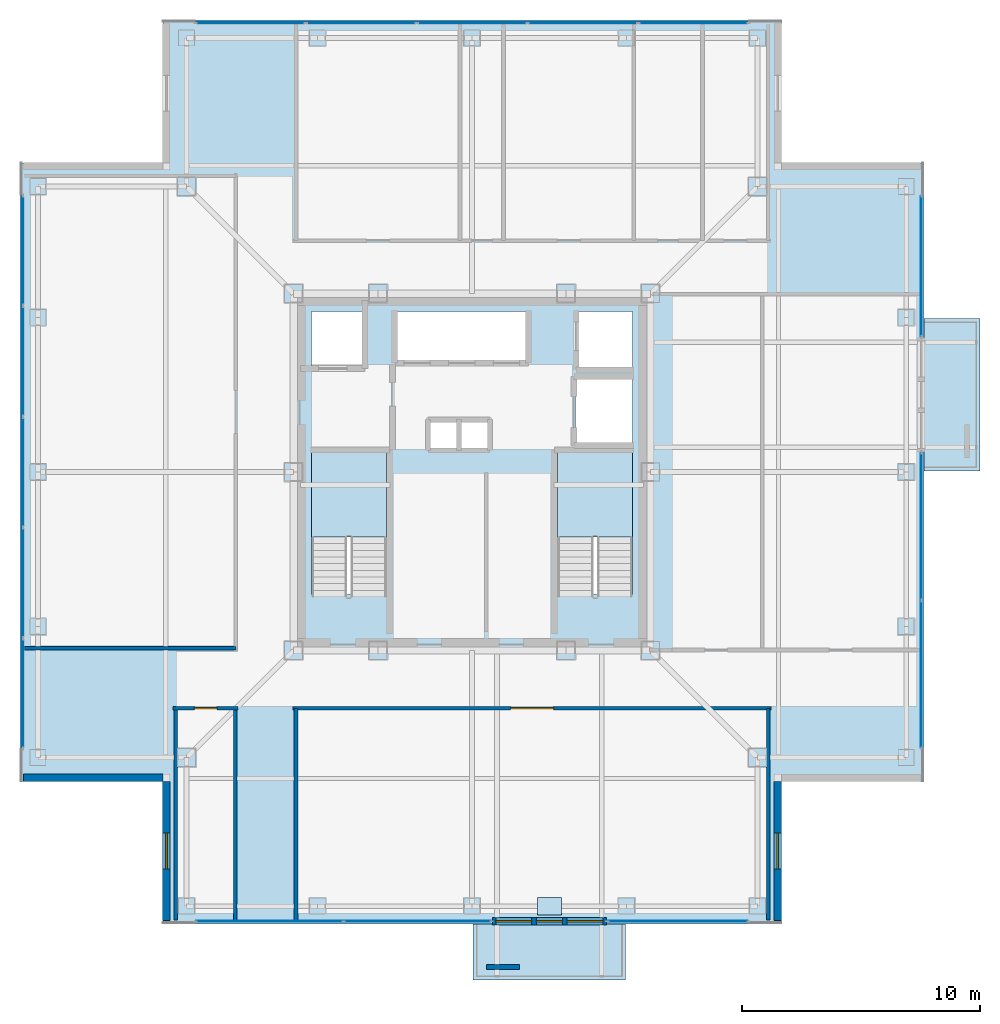
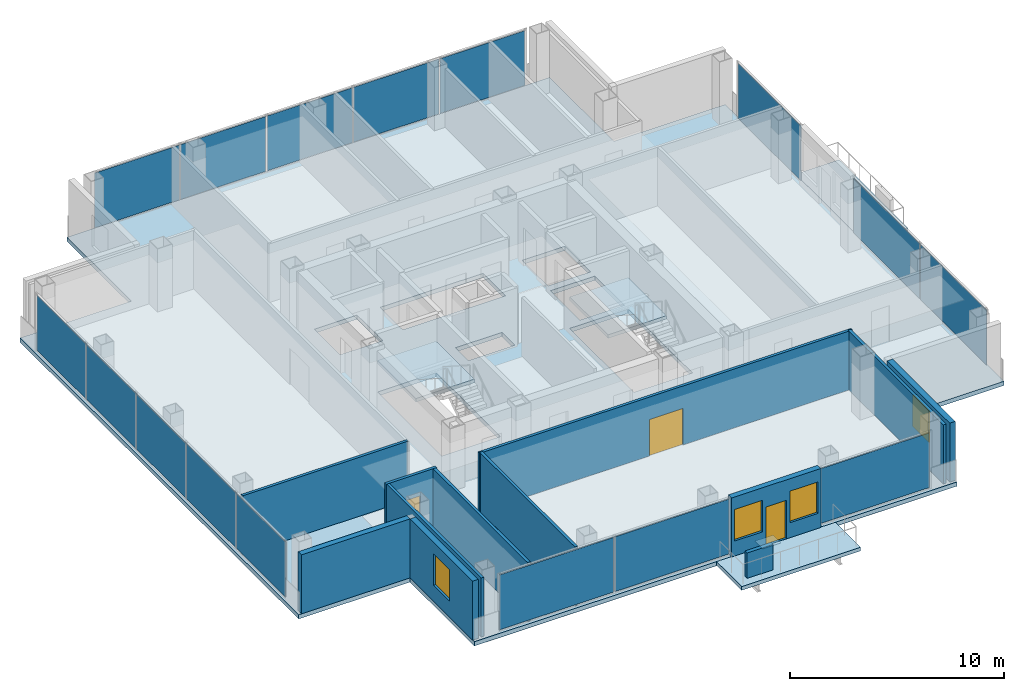
# One storey, part 7 of 15: 17 plates, 12 walls, 5 slabs, 4 windows, 3 doors, 7 openings, 8 elements without a shape of their own.
"""IFC4 building model written with IfcOpenShell, lengths in metres."""

import ifcopenshell
import ifcopenshell.guid

model = None  # the IFC model being written
_history = None  # IfcOwnerHistory: only IFC2X3 demands one
_inside = {}  # id of a spatial element -> (the spatial element, [elements in it])
_under = {}  # id of a project, library or spatial element -> (it, [spatial elements below it])
_declared = {}  # id of a project -> (the project, [libraries it declares])
_typed = {}  # id of a type object -> (the type object, [elements of that type])
_made_of = {}  # id of a material, layer set ... -> (it, [elements and type objects made of it])


def new_model(schema):
    """Start an empty IFC model of exactly this schema.

    Asked for "IFC4X3", IfcOpenShell would pick the latest addendum, in which some entities
    have other attributes; the version numbers below select the first issue.
    IFC2X3 requires an IfcOwnerHistory on every rooted entity: one is made here for all.
    """
    global model, _history
    if schema == "IFC4X3":
        model = ifcopenshell.file(schema_version=(4, 3, 0, 0))
    else:
        model = ifcopenshell.file(schema=schema)
    _inside.clear()
    _under.clear()
    _declared.clear()
    _typed.clear()
    _made_of.clear()
    _history = None
    if model.schema == "IFC2X3":
        org = make("IfcOrganization", Name="unknown")
        user = make(
            "IfcPersonAndOrganization",
            ThePerson=make("IfcPerson", FamilyName="unknown"),
            TheOrganization=org,
        )
        app = make(
            "IfcApplication",
            ApplicationDeveloper=org,
            Version="unknown",
            ApplicationFullName="unknown",
            ApplicationIdentifier="unknown",
        )
        _history = make(
            "IfcOwnerHistory",
            OwningUser=user,
            OwningApplication=app,
            ChangeAction="ADDED",
            CreationDate=0,
        )
    return model


def make(cls, **values):
    """One entity of the class cls with the attributes given. An attribute that is None is left unset."""
    return model.create_entity(
        cls, **{name: value for name, value in values.items() if value is not None}
    )


def rooted(cls, **values):
    """An entity with a GlobalId (a new one), such as an element, a storey or a relation."""
    return make(cls, GlobalId=ifcopenshell.guid.new(), OwnerHistory=_history, **values)


def si_unit(unit_type, name, prefix=None):
    """IfcSIUnit, for example si_unit("LENGTHUNIT", "METRE", prefix="MILLI")."""
    return make("IfcSIUnit", UnitType=unit_type, Prefix=prefix, Name=name)


def assignment(units):
    """IfcUnitAssignment: the units of a project."""
    return None if units is None else make("IfcUnitAssignment", Units=units)


def point(xyz):
    """IfcCartesianPoint."""
    return None if xyz is None else make("IfcCartesianPoint", Coordinates=xyz)


def direction(xyz):
    """IfcDirection."""
    return None if xyz is None else make("IfcDirection", DirectionRatios=xyz)


def frame(location, z_axis=None, x_axis=None):
    """IfcAxis2Placement3D, a coordinate frame: its origin and axes. An axis left out is left unset."""
    return make(
        "IfcAxis2Placement3D",
        Location=point(location),
        Axis=direction(z_axis),
        RefDirection=direction(x_axis),
    )


def frame_2d(location, x_axis=None):
    """IfcAxis2Placement2D, a coordinate frame in the plane: its origin and x axis."""
    return make(
        "IfcAxis2Placement2D", Location=point(location), RefDirection=direction(x_axis)
    )


def origin():
    """The frame at (0, 0, 0) with its axes left unset."""
    return frame((0.0, 0.0, 0.0))


def origin_2d():
    """The frame at (0, 0) in the plane with its x axis left unset."""
    return frame_2d((0.0, 0.0))


def place(relative_to, where):
    """IfcLocalPlacement: puts the frame where relative to a parent placement (None: the world)."""
    return make(
        "IfcLocalPlacement", PlacementRelTo=relative_to, RelativePlacement=where
    )


def context(
    kind, dimensions, precision=None, world=None, true_north=None, identifier=None
):
    """IfcGeometricRepresentationContext, for example the 3D "Model" context."""
    return make(
        "IfcGeometricRepresentationContext",
        ContextIdentifier=identifier,
        ContextType=kind,
        CoordinateSpaceDimension=dimensions,
        Precision=precision,
        WorldCoordinateSystem=world,
        TrueNorth=true_north,
    )


def subcontext(parent, identifier, kind, view, scale=None):
    """IfcGeometricRepresentationSubContext, for example "Body" below "Model"."""
    return make(
        "IfcGeometricRepresentationSubContext",
        ContextIdentifier=identifier,
        ContextType=kind,
        ParentContext=parent,
        TargetScale=scale,
        TargetView=view,
    )


def project(units=None, contexts=None):
    """IfcProject with its units and contexts."""
    return rooted(
        "IfcProject",
        Name="project",
        RepresentationContexts=contexts,
        UnitsInContext=assignment(units),
    )


def spatial(cls, under=None, at=None, **own):
    """A site, building, storey or space (cls), placed at a placement, below another one or the project."""
    s = rooted(cls, ObjectPlacement=at, **own)
    if under is not None:
        _under.setdefault(under.id(), (under, []))[1].append(s)
    return s


def polyline(points):
    """IfcPolyline through the points."""
    return make("IfcPolyline", Points=[point(p) for p in points])


def profile(cls, at=None, kind="AREA", **sizes):
    """A parametric profile (cls). Its sizes go by their IFC names, for example OverallWidth=200.0."""
    return make(cls, ProfileType=kind, Position=at, **sizes)


def rectangle(**sizes):
    """IfcRectangleProfileDef."""
    return profile("IfcRectangleProfileDef", **sizes)


def outline(outer, holes=None, kind="AREA"):
    """IfcArbitraryClosedProfileDef: a profile drawn as a closed curve; with holes, ...WithVoids."""
    if holes is None:
        return make("IfcArbitraryClosedProfileDef", ProfileType=kind, OuterCurve=outer)
    return make(
        "IfcArbitraryProfileDefWithVoids",
        ProfileType=kind,
        OuterCurve=outer,
        InnerCurves=holes,
    )


def extrude(swept, where, along, depth):
    """IfcExtrudedAreaSolid: the profile swept, set in the frame where, extruded along a direction by depth."""
    return make(
        "IfcExtrudedAreaSolid",
        SweptArea=swept,
        Position=where,
        ExtrudedDirection=direction(along),
        Depth=depth,
    )


def shape(context_of_items, identifier, shape_type, items):
    """IfcShapeRepresentation: the items that make up one representation, for example the "Body"."""
    return make(
        "IfcShapeRepresentation",
        ContextOfItems=context_of_items,
        RepresentationIdentifier=identifier,
        RepresentationType=shape_type,
        Items=items,
    )


def material(Name=None, Category=None):
    """IfcMaterial."""
    return make("IfcMaterial", Name=Name, Category=Category)


def layer(
    of_material, thickness, ventilated=None, Name=None, Category=None, Priority=None
):
    """IfcMaterialLayer: one layer of a wall or slab, of a material (None: an air gap)."""
    return make(
        "IfcMaterialLayer",
        Material=of_material,
        LayerThickness=thickness,
        IsVentilated=ventilated,
        Name=Name,
        Category=Category,
        Priority=Priority,
    )


def layer_set(layers, Name=None):
    """IfcMaterialLayerSet."""
    return make("IfcMaterialLayerSet", MaterialLayers=layers, LayerSetName=Name)


def made_of(thing, what):
    """Note that an element or type object is made of a material, layer set ...; save() writes the relation."""
    if what is not None:
        _made_of.setdefault(what.id(), (what, []))[1].append(thing)
    return thing


def type_object(cls, material=None, **own):
    """A type object (cls), such as IfcWallType, which elements share."""
    return made_of(rooted(cls, **own), material)


def element(
    cls,
    number,
    at=None,
    inside=None,
    cuts=None,
    type_object=None,
    material=None,
    context=None,
    identifier="Body",
    shape_type=None,
    held_by="IfcProductDefinitionShape",
    body=None,
    shapes=None,
    **own,
):
    """One element of the class cls, such as IfcWall. Its Tag is "e" and its number.

    at: its placement. inside: the storey or other place that contains it. cuts: it is an
    opening in that element (IfcRelVoidsElement). A single representation is given by context,
    identifier, shape_type and body (its items); several are given by shapes. held_by: the class
    of the entity that holds the representations. save() writes the other relations.
    """
    e = rooted(cls, Tag="e%d" % number, ObjectPlacement=at, **own)
    if body is not None:
        shapes = [shape(context, identifier, shape_type, body)]
    if shapes is not None:
        e.Representation = make(held_by, Representations=shapes)
    if inside is not None:
        _inside.setdefault(inside.id(), (inside, []))[1].append(e)
    if cuts is not None:
        rooted(
            "IfcRelVoidsElement", RelatingBuildingElement=cuts, RelatedOpeningElement=e
        )
    if type_object is not None:
        _typed.setdefault(type_object.id(), (type_object, []))[1].append(e)
    return made_of(e, material)


def fill(opening, filler):
    """IfcRelFillsElement: the door or window that sits in an opening."""
    return rooted(
        "IfcRelFillsElement",
        RelatingOpeningElement=opening,
        RelatedBuildingElement=filler,
    )


def aggregate(whole, parts):
    """IfcRelAggregates: a whole, such as a stair, and the parts it consists of."""
    return rooted("IfcRelAggregates", RelatingObject=whole, RelatedObjects=parts)


def save(model, path):
    """Write the relations noted so far, then the file.

    IfcRelAggregates (storeys below a building ...), IfcRelContainedInSpatialStructure (elements
    in a storey), IfcRelDefinesByType, IfcRelAssociatesMaterial and IfcRelDeclares: one each for
    every whole, place, type object, material and project.
    """
    for whole, parts in _under.values():
        aggregate(whole, parts)
    for where, things in _inside.values():
        rooted(
            "IfcRelContainedInSpatialStructure",
            RelatedElements=things,
            RelatingStructure=where,
        )
    for kind, things in _typed.values():
        rooted("IfcRelDefinesByType", RelatedObjects=things, RelatingType=kind)
    for what, things in _made_of.values():
        rooted("IfcRelAssociatesMaterial", RelatedObjects=things, RelatingMaterial=what)
    for by, libraries in _declared.values():
        rooted("IfcRelDeclares", RelatingContext=by, RelatedDefinitions=libraries)
    model.write(path)


model = new_model("IFC4")

# Units and contexts
model_context = context("Model", 3, precision=1e-05, world=origin(), true_north=direction((0.0, 1.0)))
body_context = subcontext(model_context, "Body", "Model", "MODEL_VIEW")
ifc_project = project(units=[si_unit("LENGTHUNIT", "METRE"), si_unit("AREAUNIT", "SQUARE_METRE"), si_unit("VOLUMEUNIT", "CUBIC_METRE"), si_unit("PLANEANGLEUNIT", "RADIAN"), si_unit("MASSUNIT", "GRAM", prefix="KILO")], contexts=[model_context])

# Site, building, storey
site_placement = place(None, origin())
site = spatial("IfcSite", under=ifc_project, at=site_placement, CompositionType="ELEMENT")
building_placement = place(site_placement, origin())
building = spatial("IfcBuilding", under=site, at=building_placement, Name="Trevonay Congress Spire", CompositionType="ELEMENT")
storey_placement = place(building_placement, frame((0.0, 0.0, 243.199951171875)))
storey = spatial("IfcBuildingStorey", under=building, at=storey_placement, Name="L63", CompositionType="ELEMENT", Elevation=243.199951171875)

# Curtain wall, plates
ifc_material_1 = material(Name="Pale Anodised Aluminium EN AW-6063-T6", Category="aluminium")
ifc_layer_1 = layer(ifc_material_1, 0.1650390625, Name="Pale Anodised Aluminium EN AW-6063-T6")
ifc_layer_set_1 = layer_set([ifc_layer_1], Name="Pale Anodised Aluminium EN AW-6063-T6")
curtain_wall_type = type_object("IfcCurtainWallType", Name="CW-SYS05-DIPLOM-PALE-METAL", PredefinedType="NOTDEFINED", material=ifc_layer_set_1)
curtain_wall_1_placement = place(storey_placement, origin())
curtain_wall_1 = element("IfcCurtainWall", 1, at=curtain_wall_1_placement, inside=storey, type_object=curtain_wall_type, Name="L63 SA unitised curtain wall", PredefinedType="NOTDEFINED")
ifc_material_2 = material(Name="Insulated Low-E Vision Glass IGU", Category="glass")
ifc_layer_2 = layer(ifc_material_2, 0.035888671875, Name="Insulated Low-E Vision Glass IGU")
ifc_layer_set_2 = layer_set([ifc_layer_2], Name="Insulated Low-E Vision Glass IGU")
plate_type_1 = type_object("IfcPlateType", Name="CW-PANEL-IGU36-SILVER", PredefinedType="CURTAIN_PANEL", material=ifc_layer_set_2)
plate_1_placement = place(storey_placement, frame((-8.510009765625, -18.8798828125, 0.119873046875), z_axis=(0.0, 0.0, 1.0), x_axis=(1.0, 0.0, 0.0)))
plate_1 = element("IfcPlate", 2, at=plate_1_placement, type_object=plate_type_1, Name="CW05 panel 1.1", PredefinedType="CURTAIN_PANEL", context=body_context, shape_type="SweptSolid", body=[
    extrude(rectangle(XDim=6.159912109375, YDim=0.035888671875, at=origin_2d()), origin(), (0.0, 0.0, 1.0), 3.1201171875),
])
plate_2_placement = place(storey_placement, frame((-2.2900390625, -18.8798828125, 0.119873046875), z_axis=(0.0, 0.0, 1.0), x_axis=(1.0, 0.0, 0.0)))
plate_2 = element("IfcPlate", 3, at=plate_2_placement, type_object=plate_type_1, Name="CW05 panel 2.1", PredefinedType="CURTAIN_PANEL", context=body_context, shape_type="SweptSolid", body=[
    extrude(rectangle(XDim=6.159912109375, YDim=0.035888671875, at=origin_2d()), origin(), (0.0, 0.0, 1.0), 3.1201171875),
])
aggregate(curtain_wall_1, [plate_1, plate_2])

# Curtain wall, plate
curtain_wall_2_placement = place(storey_placement, origin())
curtain_wall_2 = element("IfcCurtainWall", 4, at=curtain_wall_2_placement, inside=storey, type_object=curtain_wall_type, Name="L63 SB unitised curtain wall", PredefinedType="NOTDEFINED")
plate_3_placement = place(storey_placement, frame((8.64990234375, -18.8798828125, 0.119873046875), z_axis=(0.0, 0.0, 1.0), x_axis=(1.0, 0.0, 0.0)))
plate_3 = element("IfcPlate", 5, at=plate_3_placement, type_object=plate_type_1, Name="CW05 panel 1.1", PredefinedType="CURTAIN_PANEL", context=body_context, shape_type="SweptSolid", body=[
    extrude(rectangle(XDim=5.8798828125, YDim=0.035888671875, at=origin_2d()), origin(), (0.0, 0.0, 1.0), 3.1201171875),
])
aggregate(curtain_wall_2, [plate_3])

# Curtain wall, plates
curtain_wall_3_placement = place(storey_placement, origin())
curtain_wall_3 = element("IfcCurtainWall", 6, at=curtain_wall_3_placement, inside=storey, type_object=curtain_wall_type, Name="L63 N unitised curtain wall", PredefinedType="NOTDEFINED")
plate_4_placement = place(storey_placement, frame((-9.304931640625, 18.8798828125, 0.119873046875), z_axis=(0.0, 0.0, 1.0), x_axis=(1.0, 0.0, 0.0)))
plate_4 = element("IfcPlate", 7, at=plate_4_placement, type_object=plate_type_1, Name="CW05 panel 1.1", PredefinedType="CURTAIN_PANEL", context=body_context, shape_type="SweptSolid", body=[
    extrude(rectangle(XDim=4.570068359375, YDim=0.035888671875, at=origin_2d()), origin(), (0.0, 0.0, 1.0), 3.1201171875),
])
plate_5_placement = place(storey_placement, frame((-4.659912109375, 18.8798828125, 0.119873046875), z_axis=(0.0, 0.0, 1.0), x_axis=(1.0, 0.0, 0.0)))
plate_5 = element("IfcPlate", 8, at=plate_5_placement, type_object=plate_type_1, Name="CW05 panel 2.1", PredefinedType="CURTAIN_PANEL", context=body_context, shape_type="SweptSolid", body=[
    extrude(rectangle(XDim=4.60009765625, YDim=0.035888671875, at=origin_2d()), origin(), (0.0, 0.0, 1.0), 3.1201171875),
])
plate_6_placement = place(storey_placement, frame((0.0, 18.8798828125, 0.119873046875), z_axis=(0.0, 0.0, 1.0), x_axis=(1.0, 0.0, 0.0)))
plate_6 = element("IfcPlate", 9, at=plate_6_placement, type_object=plate_type_1, Name="CW05 panel 3.1", PredefinedType="CURTAIN_PANEL", context=body_context, shape_type="SweptSolid", body=[
    extrude(rectangle(XDim=4.60009765625, YDim=0.035888671875, at=origin_2d()), origin(), (0.0, 0.0, 1.0), 3.1201171875),
])
plate_7_placement = place(storey_placement, frame((4.659912109375, 18.8798828125, 0.119873046875), z_axis=(0.0, 0.0, 1.0), x_axis=(1.0, 0.0, 0.0)))
plate_7 = element("IfcPlate", 10, at=plate_7_placement, type_object=plate_type_1, Name="CW05 panel 4.1", PredefinedType="CURTAIN_PANEL", context=body_context, shape_type="SweptSolid", body=[
    extrude(rectangle(XDim=4.60009765625, YDim=0.035888671875, at=origin_2d()), origin(), (0.0, 0.0, 1.0), 3.1201171875),
])
plate_8_placement = place(storey_placement, frame((9.304931640625, 18.8798828125, 0.119873046875), z_axis=(0.0, 0.0, 1.0), x_axis=(1.0, 0.0, 0.0)))
plate_8 = element("IfcPlate", 11, at=plate_8_placement, type_object=plate_type_1, Name="CW05 panel 5.1", PredefinedType="CURTAIN_PANEL", context=body_context, shape_type="SweptSolid", body=[
    extrude(rectangle(XDim=4.570068359375, YDim=0.035888671875, at=origin_2d()), origin(), (0.0, 0.0, 1.0), 3.1201171875),
])
aggregate(curtain_wall_3, [plate_4, plate_5, plate_6, plate_7, plate_8])

curtain_wall_4_placement = place(storey_placement, origin())
curtain_wall_4 = element("IfcCurtainWall", 12, at=curtain_wall_4_placement, inside=storey, type_object=curtain_wall_type, Name="L63 W unitised curtain wall", PredefinedType="NOTDEFINED")
plate_9_placement = place(storey_placement, frame((-18.8798828125, -9.304931640625, 0.119873046875), z_axis=(0.0, 0.0, 1.0), x_axis=(0.0, 1.0, 0.0)))
plate_9 = element("IfcPlate", 13, at=plate_9_placement, type_object=plate_type_1, Name="CW05 panel 1.1", PredefinedType="CURTAIN_PANEL", context=body_context, shape_type="SweptSolid", body=[
    extrude(rectangle(XDim=4.570068359375, YDim=0.035888671875, at=origin_2d()), origin(), (0.0, 0.0, 1.0), 3.1201171875),
])
plate_10_placement = place(storey_placement, frame((-18.8798828125, -4.659912109375, 0.119873046875), z_axis=(0.0, 0.0, 1.0), x_axis=(0.0, 1.0, 0.0)))
plate_10 = element("IfcPlate", 14, at=plate_10_placement, type_object=plate_type_1, Name="CW05 panel 2.1", PredefinedType="CURTAIN_PANEL", context=body_context, shape_type="SweptSolid", body=[
    extrude(rectangle(XDim=4.60009765625, YDim=0.035888671875, at=origin_2d()), origin(), (0.0, 0.0, 1.0), 3.1201171875),
])
plate_11_placement = place(storey_placement, frame((-18.8798828125, 0.0, 0.119873046875), z_axis=(0.0, 0.0, 1.0), x_axis=(0.0, 1.0, 0.0)))
plate_11 = element("IfcPlate", 15, at=plate_11_placement, type_object=plate_type_1, Name="CW05 panel 3.1", PredefinedType="CURTAIN_PANEL", context=body_context, shape_type="SweptSolid", body=[
    extrude(rectangle(XDim=4.60009765625, YDim=0.035888671875, at=origin_2d()), origin(), (0.0, 0.0, 1.0), 3.1201171875),
])
plate_12_placement = place(storey_placement, frame((-18.8798828125, 4.659912109375, 0.119873046875), z_axis=(0.0, 0.0, 1.0), x_axis=(0.0, 1.0, 0.0)))
plate_12 = element("IfcPlate", 16, at=plate_12_placement, type_object=plate_type_1, Name="CW05 panel 4.1", PredefinedType="CURTAIN_PANEL", context=body_context, shape_type="SweptSolid", body=[
    extrude(rectangle(XDim=4.60009765625, YDim=0.035888671875, at=origin_2d()), origin(), (0.0, 0.0, 1.0), 3.1201171875),
])
plate_13_placement = place(storey_placement, frame((-18.8798828125, 9.304931640625, 0.119873046875), z_axis=(0.0, 0.0, 1.0), x_axis=(0.0, 1.0, 0.0)))
plate_13 = element("IfcPlate", 17, at=plate_13_placement, type_object=plate_type_1, Name="CW05 panel 5.1", PredefinedType="CURTAIN_PANEL", context=body_context, shape_type="SweptSolid", body=[
    extrude(rectangle(XDim=4.570068359375, YDim=0.035888671875, at=origin_2d()), origin(), (0.0, 0.0, 1.0), 3.1201171875),
])
aggregate(curtain_wall_4, [plate_9, plate_10, plate_11, plate_12, plate_13])

curtain_wall_5_placement = place(storey_placement, origin())
curtain_wall_5 = element("IfcCurtainWall", 18, at=curtain_wall_5_placement, inside=storey, type_object=curtain_wall_type, Name="L63 EA unitised curtain wall", PredefinedType="NOTDEFINED")
plate_14_placement = place(storey_placement, frame((18.8798828125, -8.510009765625, 0.119873046875), z_axis=(0.0, 0.0, 1.0), x_axis=(0.0, 1.0, 0.0)))
plate_14 = element("IfcPlate", 19, at=plate_14_placement, type_object=plate_type_1, Name="CW05 panel 1.1", PredefinedType="CURTAIN_PANEL", context=body_context, shape_type="SweptSolid", body=[
    extrude(rectangle(XDim=6.159912109375, YDim=0.035888671875, at=origin_2d()), origin(), (0.0, 0.0, 1.0), 3.1201171875),
])
plate_15_placement = place(storey_placement, frame((18.8798828125, -2.2900390625, 0.119873046875), z_axis=(0.0, 0.0, 1.0), x_axis=(0.0, 1.0, 0.0)))
plate_15 = element("IfcPlate", 20, at=plate_15_placement, type_object=plate_type_1, Name="CW05 panel 2.1", PredefinedType="CURTAIN_PANEL", context=body_context, shape_type="SweptSolid", body=[
    extrude(rectangle(XDim=6.159912109375, YDim=0.035888671875, at=origin_2d()), origin(), (0.0, 0.0, 1.0), 3.1201171875),
])
aggregate(curtain_wall_5, [plate_14, plate_15])

# Curtain wall, plate
curtain_wall_6_placement = place(storey_placement, origin())
curtain_wall_6 = element("IfcCurtainWall", 21, at=curtain_wall_6_placement, inside=storey, type_object=curtain_wall_type, Name="L63 EB unitised curtain wall", PredefinedType="NOTDEFINED")
plate_16_placement = place(storey_placement, frame((18.8798828125, 8.64990234375, 0.119873046875), z_axis=(0.0, 0.0, 1.0), x_axis=(0.0, 1.0, 0.0)))
plate_16 = element("IfcPlate", 22, at=plate_16_placement, type_object=plate_type_1, Name="CW05 panel 1.1", PredefinedType="CURTAIN_PANEL", context=body_context, shape_type="SweptSolid", body=[
    extrude(rectangle(XDim=5.8798828125, YDim=0.035888671875, at=origin_2d()), origin(), (0.0, 0.0, 1.0), 3.1201171875),
])
aggregate(curtain_wall_6, [plate_16])

# Plate
ifc_material_3 = material(Name="Steel ASTM A572 Grade 50", Category="steel")
ifc_layer_3 = layer(ifc_material_3, 0.034912109375, Name="Steel ASTM A572 Grade 50")
ifc_layer_set_3 = layer_set([ifc_layer_3], Name="Steel ASTM A572 Grade 50")
plate_type_2 = type_object("IfcPlateType", Name="PLT-GUSSET-EXT-35", PredefinedType="USERDEFINED", material=ifc_layer_set_3)
plate_17_placement = place(storey_placement, frame((3.25, -18.25, -0.4873046875), z_axis=(0.0, 0.0, 1.0), x_axis=(1.0, 0.0, 0.0)))
element("IfcPlate", 23, at=plate_17_placement, inside=storey, type_object=plate_type_2, Name="L63 cantilevered tree-balcony lookout gusset plate CN-01", ObjectType="GUSSET_PLATE", PredefinedType="USERDEFINED", context=body_context, shape_type="SweptSolid", body=[
    extrude(rectangle(XDim=1.0, YDim=0.75, at=origin_2d()), origin(), (0.0, 0.0, 1.0), 0.034912109375),
])

# Stair, slab
ifc_material_4 = material(Name="Concrete C40/50", Category="concrete")
stair_type_1 = type_object("IfcStairType", Name="STR-ST-1", PredefinedType="HALF_TURN_STAIR", material=ifc_material_4)
stair_1_placement = place(storey_placement, origin())
stair_1 = element("IfcStair", 24, at=stair_1_placement, inside=storey, type_object=stair_type_1, Name="L63 Protected Exit Stair ST-1", PredefinedType="HALF_TURN_STAIR")
ifc_layer_4 = layer(ifc_material_4, 0.199951171875, Name="Concrete C40/50")
ifc_layer_set_4 = layer_set([ifc_layer_4], Name="Concrete C40/50")
slab_type_1 = type_object("IfcSlabType", Name="SLB-STAIR-LAND-200", PredefinedType="LANDING", material=ifc_layer_set_4)
slab_1_placement = place(storey_placement, frame((0.0, 0.0, 1.60009765625)))
slab_1 = element("IfcSlab", 25, at=slab_1_placement, type_object=slab_type_1, Name="ST-1 landing 1", PredefinedType="LANDING", context=body_context, shape_type="SweptSolid", body=[
    extrude(outline(polyline([(-3.60009765625, -2.72998046875), (-3.60009765625, 0.85009765625), (-6.75, 0.85009765625), (-6.75, -2.72998046875), (-3.60009765625, -2.72998046875)])), origin(), (0.0, 0.0, 1.0), 0.199951171875),
])
aggregate(stair_1, [slab_1])

stair_type_2 = type_object("IfcStairType", Name="STR-ST-2", PredefinedType="HALF_TURN_STAIR", material=ifc_material_4)
stair_2_placement = place(storey_placement, origin())
stair_2 = element("IfcStair", 26, at=stair_2_placement, inside=storey, type_object=stair_type_2, Name="L63 Protected Exit Stair ST-2", PredefinedType="HALF_TURN_STAIR")
slab_2_placement = place(storey_placement, frame((0.0, 0.0, 1.60009765625)))
slab_2 = element("IfcSlab", 27, at=slab_2_placement, type_object=slab_type_1, Name="ST-2 landing 1", PredefinedType="LANDING", context=body_context, shape_type="SweptSolid", body=[
    extrude(outline(polyline([(6.75, -2.72998046875), (6.75, 0.85009765625), (3.60009765625, 0.85009765625), (3.60009765625, -2.72998046875), (6.75, -2.72998046875)])), origin(), (0.0, 0.0, 1.0), 0.199951171875),
])
aggregate(stair_2, [slab_2])

# Slabs
ifc_layer_5 = layer(ifc_material_4, 0.239990234375, Name="Concrete C40/50")
ifc_layer_set_5 = layer_set([ifc_layer_5], Name="Concrete C40/50")
slab_type_2 = type_object("IfcSlabType", Name="SLB-TOW2-240", PredefinedType="FLOOR", material=ifc_layer_set_5)
slab_3_placement = place(storey_placement, frame((0.0, 0.0, -0.239990234375)))
element("IfcSlab", 28, at=slab_3_placement, inside=storey, type_object=slab_type_2, Name="L63 structural floor slab", PredefinedType="FLOOR", context=body_context, shape_type="SweptSolid", body=[
    extrude(outline(polyline([(-13.0, -19.0), (13.0, -19.0), (13.0, -13.0), (19.0, -13.0), (19.0, 13.0), (13.0, 13.0), (13.0, 19.0), (-13.0, 19.0), (-13.0, 13.0), (-19.0, 13.0), (-19.0, -13.0), (-13.0, -13.0), (-13.0, -19.0)]), holes=[polyline([(-3.60009765625, -5.14990234375), (-3.60009765625, 0.85009765625), (-6.75, 0.85009765625), (-6.75, -5.14990234375), (-3.60009765625, -5.14990234375)]), polyline([(6.75, -5.14990234375), (6.75, 0.85009765625), (3.60009765625, 0.85009765625), (3.60009765625, -5.14990234375), (6.75, -5.14990234375)]), polyline([(-3.199951171875, 4.64990234375), (2.340087890625, 4.64990234375), (2.340087890625, 6.75), (-3.199951171875, 6.75), (-3.199951171875, 4.64990234375)]), polyline([(-6.75, 4.35009765625), (-4.449951171875, 4.35009765625), (-4.449951171875, 6.75), (-6.75, 6.75), (-6.75, 4.35009765625)]), polyline([(4.449951171875, 4.35009765625), (6.75, 4.35009765625), (6.75, 6.75), (4.449951171875, 6.75), (4.449951171875, 4.35009765625)]), polyline([(4.35009765625, 1.199951171875), (6.75, 1.199951171875), (6.75, 3.949951171875), (4.35009765625, 3.949951171875), (4.35009765625, 1.199951171875)]), polyline([(-1.800048828125, 0.949951171875), (0.699951171875, 0.949951171875), (0.699951171875, 2.14990234375), (-1.800048828125, 2.14990234375), (-1.800048828125, 0.949951171875)])]), origin(), (0.0, 0.0, 1.0), 0.239990234375),
])
ifc_layer_6 = layer(ifc_material_4, 0.2099609375, Name="Concrete C40/50")
ifc_layer_set_6 = layer_set([ifc_layer_6], Name="Concrete C40/50")
slab_type_3 = type_object("IfcSlabType", Name="SLB-TREEBAL-210", PredefinedType="FLOOR", material=ifc_layer_set_6)
slab_4_placement = place(storey_placement, frame((0.0, 0.0, -0.2099609375)))
element("IfcSlab", 29, at=slab_4_placement, inside=storey, type_object=slab_type_3, Name="L63 cantilevered tree-planter balcony pod S", PredefinedType="FLOOR", context=body_context, shape_type="SweptSolid", body=[
    extrude(outline(polyline([(0.050048828125, -21.35009765625), (6.449951171875, -21.35009765625), (6.449951171875, -19.0), (0.050048828125, -19.0), (0.050048828125, -21.35009765625)])), origin(), (0.0, 0.0, 1.0), 0.2099609375),
])
slab_5_placement = place(storey_placement, frame((0.0, 0.0, -0.2099609375)))
element("IfcSlab", 30, at=slab_5_placement, inside=storey, type_object=slab_type_3, Name="L63 cantilevered tree-planter balcony pod E", PredefinedType="FLOOR", context=body_context, shape_type="SweptSolid", body=[
    extrude(outline(polyline([(19.0, 0.050048828125), (21.35009765625, 0.050048828125), (21.35009765625, 6.449951171875), (19.0, 6.449951171875), (19.0, 0.050048828125)])), origin(), (0.0, 0.0, 1.0), 0.2099609375),
])

# Wall, opening, door
ifc_layer_7 = layer(ifc_material_4, 0.14990234375, Name="Concrete C40/50")
ifc_layer_set_7 = layer_set([ifc_layer_7], Name="Concrete C40/50")
wall_type_1 = type_object("IfcWallType", Name="WAL-CORR-150", PredefinedType="PARTITIONING", material=ifc_layer_set_7)
wall_1_placement = place(storey_placement, frame((-12.570068359375, -9.929931640625, 0.0), z_axis=(0.0, 0.0, 1.0), x_axis=(1.0, 0.0, 0.0)))
wall_1 = element("IfcWall", 31, at=wall_1_placement, inside=storey, type_object=wall_type_1, Name="L63 interior wall WP-L63SW-COR", PredefinedType="PARTITIONING", context=body_context, shape_type="SweptSolid", body=[
    extrude(rectangle(XDim=2.739990234375, YDim=0.14990234375, at=frame_2d((1.3701171875, 0.0))), origin(), (0.0, 0.0, 1.0), 3.360107421875),
])
opening_1_placement = place(wall_1_placement, frame((0.89501953125, 0.0, 0.0)))
opening_1 = element("IfcOpeningElement", 32, at=opening_1_placement, cuts=wall_1, Name="Opening D07", PredefinedType="OPENING", context=body_context, shape_type="SweptSolid", body=[
    extrude(rectangle(XDim=0.949951171875, YDim=2.06005859375, at=frame_2d((0.47509765625, 1.030029296875))), frame((0.0, 0.0849609375, 0.0), z_axis=(0.0, -1.0, 0.0), x_axis=(1.0, 0.0, 0.0)), (0.0, 0.0, 1.0), 0.169921875),
])
door_type_1 = type_object("IfcDoorType", Name="DOR-OFFICE-95", OperationType="NOTDEFINED", PredefinedType="DOOR", material=ifc_material_1)
door_1_placement = place(opening_1_placement, origin())
door_1 = element("IfcDoor", 33, at=door_1_placement, inside=storey, type_object=door_type_1, Name="L63 Secretary-General Green Room Door", OperationType="SINGLE_SWING_RIGHT", OverallHeight=2.06005859375, OverallWidth=0.949951171875, PredefinedType="DOOR", context=body_context, shape_type="SweptSolid", body=[
    extrude(rectangle(XDim=0.949951171875, YDim=2.06005859375, at=frame_2d((0.47509765625, 1.030029296875))), frame((0.0, 0.02490234375, 0.0), z_axis=(0.0, -1.0, 0.0), x_axis=(1.0, 0.0, 0.0)), (0.0, 0.0, 1.0), 0.050048828125),
])
fill(opening_1, door_1)

wall_2_placement = place(storey_placement, frame((-7.52001953125, -9.929931640625, 0.0), z_axis=(0.0, 0.0, 1.0), x_axis=(1.0, 0.0, 0.0)))
wall_2 = element("IfcWall", 34, at=wall_2_placement, inside=storey, type_object=wall_type_1, Name="L63 interior wall WP-L63SE-COR", PredefinedType="PARTITIONING", context=body_context, shape_type="SweptSolid", body=[
    extrude(rectangle(XDim=20.090087890625, YDim=0.14990234375, at=frame_2d((10.044921875, 0.0))), origin(), (0.0, 0.0, 1.0), 3.360107421875),
])
opening_2_placement = place(wall_2_placement, frame((9.14501953125, 0.0, 0.0)))
opening_2 = element("IfcOpeningElement", 35, at=opening_2_placement, cuts=wall_2, Name="Opening D09", PredefinedType="OPENING", context=body_context, shape_type="SweptSolid", body=[
    extrude(rectangle(XDim=1.800048828125, YDim=2.080078125, at=frame_2d((0.89990234375, 1.0400390625))), frame((0.0, 0.0849609375, 0.0), z_axis=(0.0, -1.0, 0.0), x_axis=(1.0, 0.0, 0.0)), (0.0, 0.0, 1.0), 0.169921875),
])
door_type_2 = type_object("IfcDoorType", Name="DOR-CONF-DBL", OperationType="DOUBLE_DOOR_SINGLE_SWING", PredefinedType="DOOR", material=ifc_material_1)
door_2_placement = place(opening_2_placement, origin())
door_2 = element("IfcDoor", 36, at=door_2_placement, inside=storey, type_object=door_type_2, Name="L63 South Atlantic Multilateral Summit Chamber Door", OperationType="DOUBLE_DOOR_SINGLE_SWING", OverallHeight=2.080078125, OverallWidth=1.800048828125, PredefinedType="DOOR", context=body_context, shape_type="SweptSolid", body=[
    extrude(rectangle(XDim=1.800048828125, YDim=2.080078125, at=frame_2d((0.89990234375, 1.0400390625))), frame((0.0, 0.02490234375, 0.0), z_axis=(0.0, -1.0, 0.0), x_axis=(1.0, 0.0, 0.0)), (0.0, 0.0, 1.0), 0.050048828125),
])
fill(opening_2, door_2)

# Wall, openings, door, windows
ifc_material_5 = material(Name="Precast concrete C40/50", Category="concrete")
ifc_layer_8 = layer(ifc_material_5, 0.300048828125, Name="Precast concrete C40/50")
ifc_layer_set_8 = layer_set([ifc_layer_8], Name="Precast concrete C40/50")
wall_type_2 = type_object("IfcWallType", Name="WAL-EXT-PRECAST-300", PredefinedType="SOLIDWALL", material=ifc_layer_set_8)
wall_3_placement = place(storey_placement, frame((0.85009765625, -18.8798828125, 0.0), z_axis=(0.0, 0.0, 1.0), x_axis=(1.0, 0.0, 0.0)))
wall_3 = element("IfcWall", 37, at=wall_3_placement, inside=storey, type_object=wall_type_2, Name="L63 S glazed balcony portal exterior wall", PredefinedType="SOLIDWALL", context=body_context, shape_type="SweptSolid", body=[
    extrude(rectangle(XDim=4.7998046875, YDim=0.300048828125, at=frame_2d((2.39990234375, 0.0))), origin(), (0.0, 0.0, 1.0), 3.360107421875),
])
opening_3_placement = place(wall_3_placement, frame((1.85009765625, 0.0, 0.0)))
opening_3 = element("IfcOpeningElement", 38, at=opening_3_placement, cuts=wall_3, Name="Opening D03", PredefinedType="OPENING", context=body_context, shape_type="SweptSolid", body=[
    extrude(rectangle(XDim=1.10009765625, YDim=2.199951171875, at=frame_2d((0.550048828125, 1.10009765625))), frame((0.0, 0.16015625, 0.0), z_axis=(0.0, -1.0, 0.0), x_axis=(1.0, 0.0, 0.0)), (0.0, 0.0, 1.0), 0.320068359375),
])
opening_4_placement = place(wall_3_placement, frame((0.14990234375, 0.0, 0.85009765625)))
opening_4 = element("IfcOpeningElement", 39, at=opening_4_placement, cuts=wall_3, Name="Opening WN03", PredefinedType="OPENING", context=body_context, shape_type="SweptSolid", body=[
    extrude(rectangle(XDim=1.5, YDim=1.800048828125, at=frame_2d((0.75, 0.89990234375))), frame((0.0, 0.16015625, 0.0), z_axis=(0.0, -1.0, 0.0), x_axis=(1.0, 0.0, 0.0)), (0.0, 0.0, 1.0), 0.320068359375),
])
opening_5_placement = place(wall_3_placement, frame((3.14990234375, 0.0, 0.85009765625)))
opening_5 = element("IfcOpeningElement", 40, at=opening_5_placement, cuts=wall_3, Name="Opening WN03", PredefinedType="OPENING", context=body_context, shape_type="SweptSolid", body=[
    extrude(rectangle(XDim=1.5, YDim=1.800048828125, at=frame_2d((0.75, 0.89990234375))), frame((0.0, 0.16015625, 0.0), z_axis=(0.0, -1.0, 0.0), x_axis=(1.0, 0.0, 0.0)), (0.0, 0.0, 1.0), 0.320068359375),
])
door_type_3 = type_object("IfcDoorType", Name="DOR-EXT-BAL-110", OperationType="NOTDEFINED", PredefinedType="DOOR", material=ifc_material_1)
door_3_placement = place(opening_3_placement, origin())
door_3 = element("IfcDoor", 41, at=door_3_placement, inside=storey, type_object=door_type_3, Name="L63 S glazed outdoor terrace and balcony door", OperationType="SINGLE_SWING_LEFT", OverallHeight=2.199951171875, OverallWidth=1.10009765625, PredefinedType="DOOR", context=body_context, shape_type="SweptSolid", body=[
    extrude(rectangle(XDim=1.10009765625, YDim=2.199951171875, at=frame_2d((0.550048828125, 1.10009765625))), frame((0.0, 0.02490234375, 0.0), z_axis=(0.0, -1.0, 0.0), x_axis=(1.0, 0.0, 0.0)), (0.0, 0.0, 1.0), 0.050048828125),
])
fill(opening_3, door_3)
window_type = type_object("IfcWindowType", Name="WIN-NOTCH-150X180", PartitioningType="SINGLE_PANEL", PredefinedType="WINDOW", material=ifc_material_2)
window_1_placement = place(opening_4_placement, origin())
window_1 = element("IfcWindow", 42, at=window_1_placement, inside=storey, type_object=window_type, Name="L63 S balcony sidelight window L", OverallHeight=1.800048828125, OverallWidth=1.5, PartitioningType="SINGLE_PANEL", PredefinedType="WINDOW", context=body_context, shape_type="SweptSolid", body=[
    extrude(rectangle(XDim=1.5, YDim=1.800048828125, at=frame_2d((0.75, 0.89990234375))), frame((0.0, 0.030029296875, 0.0), z_axis=(0.0, -1.0, 0.0), x_axis=(1.0, 0.0, 0.0)), (0.0, 0.0, 1.0), 0.06005859375),
])
fill(opening_4, window_1)
window_2_placement = place(opening_5_placement, origin())
window_2 = element("IfcWindow", 43, at=window_2_placement, inside=storey, type_object=window_type, Name="L63 S balcony sidelight window R", OverallHeight=1.800048828125, OverallWidth=1.5, PartitioningType="SINGLE_PANEL", PredefinedType="WINDOW", context=body_context, shape_type="SweptSolid", body=[
    extrude(rectangle(XDim=1.5, YDim=1.800048828125, at=frame_2d((0.75, 0.89990234375))), frame((0.0, 0.030029296875, 0.0), z_axis=(0.0, -1.0, 0.0), x_axis=(1.0, 0.0, 0.0)), (0.0, 0.0, 1.0), 0.06005859375),
])
fill(opening_5, window_2)

# Wall, opening, window
wall_4_placement = place(storey_placement, frame((-12.85009765625, -18.85009765625, 0.0), z_axis=(0.0, 0.0, 1.0), x_axis=(0.0, 1.0, 0.0)))
wall_4 = element("IfcWall", 44, at=wall_4_placement, inside=storey, type_object=wall_type_2, Name="L63 SW re-entrant notch exterior wall 1", PredefinedType="SOLIDWALL", context=body_context, shape_type="SweptSolid", body=[
    extrude(rectangle(XDim=5.85009765625, YDim=0.300048828125, at=frame_2d((2.925048828125, 0.0))), origin(), (0.0, 0.0, 1.0), 3.360107421875),
])
opening_6_placement = place(wall_4_placement, frame((2.175048828125, 0.0, 0.89990234375)))
opening_6 = element("IfcOpeningElement", 45, at=opening_6_placement, cuts=wall_4, Name="Opening WN03", PredefinedType="OPENING", context=body_context, shape_type="SweptSolid", body=[
    extrude(rectangle(XDim=1.5, YDim=1.800048828125, at=frame_2d((0.75, 0.89990234375))), frame((0.0, 0.16015625, 0.0), z_axis=(0.0, -1.0, 0.0), x_axis=(1.0, 0.0, 0.0)), (0.0, 0.0, 1.0), 0.320068359375),
])
window_3_placement = place(opening_6_placement, origin())
window_3 = element("IfcWindow", 46, at=window_3_placement, inside=storey, type_object=window_type, Name="L63 SW corner notch window", OverallHeight=1.800048828125, OverallWidth=1.5, PartitioningType="SINGLE_PANEL", PredefinedType="WINDOW", context=body_context, shape_type="SweptSolid", body=[
    extrude(rectangle(XDim=1.5, YDim=1.800048828125, at=frame_2d((0.75, 0.89990234375))), frame((0.0, 0.030029296875, 0.0), z_axis=(0.0, -1.0, 0.0), x_axis=(1.0, 0.0, 0.0)), (0.0, 0.0, 1.0), 0.06005859375),
])
fill(opening_6, window_3)

# Wall
wall_5_placement = place(storey_placement, frame((-18.85009765625, -12.85009765625, 0.0), z_axis=(0.0, 0.0, 1.0), x_axis=(1.0, 0.0, 0.0)))
element("IfcWall", 47, at=wall_5_placement, inside=storey, type_object=wall_type_2, Name="L63 SW re-entrant notch exterior wall 2", PredefinedType="SOLIDWALL", context=body_context, shape_type="SweptSolid", body=[
    extrude(rectangle(XDim=5.85009765625, YDim=0.300048828125, at=frame_2d((2.925048828125, 0.0))), origin(), (0.0, 0.0, 1.0), 3.360107421875),
])

# Wall, opening, window
wall_6_placement = place(storey_placement, frame((12.85009765625, -18.85009765625, 0.0), z_axis=(0.0, 0.0, 1.0), x_axis=(0.0, 1.0, 0.0)))
wall_6 = element("IfcWall", 48, at=wall_6_placement, inside=storey, type_object=wall_type_2, Name="L63 SE re-entrant notch exterior wall 1", PredefinedType="SOLIDWALL", context=body_context, shape_type="SweptSolid", body=[
    extrude(rectangle(XDim=5.85009765625, YDim=0.300048828125, at=frame_2d((2.925048828125, 0.0))), origin(), (0.0, 0.0, 1.0), 3.360107421875),
])
opening_7_placement = place(wall_6_placement, frame((2.175048828125, 0.0, 0.89990234375)))
opening_7 = element("IfcOpeningElement", 49, at=opening_7_placement, cuts=wall_6, Name="Opening WN03", PredefinedType="OPENING", context=body_context, shape_type="SweptSolid", body=[
    extrude(rectangle(XDim=1.5, YDim=1.800048828125, at=frame_2d((0.75, 0.89990234375))), frame((0.0, 0.16015625, 0.0), z_axis=(0.0, -1.0, 0.0), x_axis=(1.0, 0.0, 0.0)), (0.0, 0.0, 1.0), 0.320068359375),
])
window_4_placement = place(opening_7_placement, origin())
window_4 = element("IfcWindow", 50, at=window_4_placement, inside=storey, type_object=window_type, Name="L63 SE corner notch window", OverallHeight=1.800048828125, OverallWidth=1.5, PartitioningType="SINGLE_PANEL", PredefinedType="WINDOW", context=body_context, shape_type="SweptSolid", body=[
    extrude(rectangle(XDim=1.5, YDim=1.800048828125, at=frame_2d((0.75, 0.89990234375))), frame((0.0, 0.030029296875, 0.0), z_axis=(0.0, -1.0, 0.0), x_axis=(1.0, 0.0, 0.0)), (0.0, 0.0, 1.0), 0.06005859375),
])
fill(opening_7, window_4)

# Walls
ifc_layer_9 = layer(ifc_material_4, 0.14990234375, Name="Concrete C40/50")
ifc_layer_set_9 = layer_set([ifc_layer_9], Name="Concrete C40/50")
wall_type_3 = type_object("IfcWallType", Name="WAL-PART-150", PredefinedType="PARTITIONING", material=ifc_layer_set_9)
for number, where, z_axis, x_axis, name in (
    (51, (-12.449951171875, -18.820068359375, 0.0), (0.0, 0.0, 1.0), (0.0, 1.0, 0.0), "L63 interior wall WP-L63SW-DIV1"),
    (52, (-9.949951171875, -18.820068359375, 0.0), (0.0, 0.0, 1.0), (0.0, 1.0, 0.0), "L63 interior wall WP-L63SW-DIV2"),
    (53, (-7.39990234375, -18.820068359375, 0.0), (0.0, 0.0, 1.0), (0.0, 1.0, 0.0), "L63 interior wall WP-L63SE-DIV1"),
    (54, (12.449951171875, -18.820068359375, 0.0), (0.0, 0.0, 1.0), (0.0, 1.0, 0.0), "L63 interior wall WP-L63SE-DIV2"),
    (55, (-18.820068359375, -7.39990234375, 0.0), (0.0, 0.0, 1.0), (1.0, 0.0, 0.0), "L63 interior wall WP-L63NW-DIV1"),
):
    element("IfcWall", number, at=place(storey_placement, frame(where, z_axis=z_axis, x_axis=x_axis)), inside=storey, type_object=wall_type_3, Name=name, PredefinedType="PARTITIONING", context=body_context, shape_type="SweptSolid", body=[
        extrude(rectangle(XDim=8.89013671875, YDim=0.14990234375, at=frame_2d((4.445068359375, 0.0))), origin(), (0.0, 0.0, 1.0), 3.360107421875),
    ])
ifc_layer_10 = layer(ifc_material_5, 0.199951171875, Name="Precast concrete C40/50")
ifc_layer_set_10 = layer_set([ifc_layer_10], Name="Precast concrete C40/50")
wall_type_4 = type_object("IfcWallType", Name="WAL-TREE-PLANTER-200", PredefinedType="PARAPET", material=ifc_layer_set_10)
wall_7_placement = place(storey_placement, frame((0.60009765625, -20.800048828125, 0.0), z_axis=(0.0, 0.0, 1.0), x_axis=(1.0, 0.0, 0.0)))
element("IfcWall", 56, at=wall_7_placement, inside=storey, type_object=wall_type_4, Name="L63 S cantilevered balcony tree planter box", PredefinedType="PARAPET", context=body_context, shape_type="SweptSolid", body=[
    extrude(rectangle(XDim=1.39990234375, YDim=0.199951171875, at=frame_2d((0.699951171875, 0.0))), origin(), (0.0, 0.0, 1.0), 1.449951171875),
])

save(model, "model.ifc")
